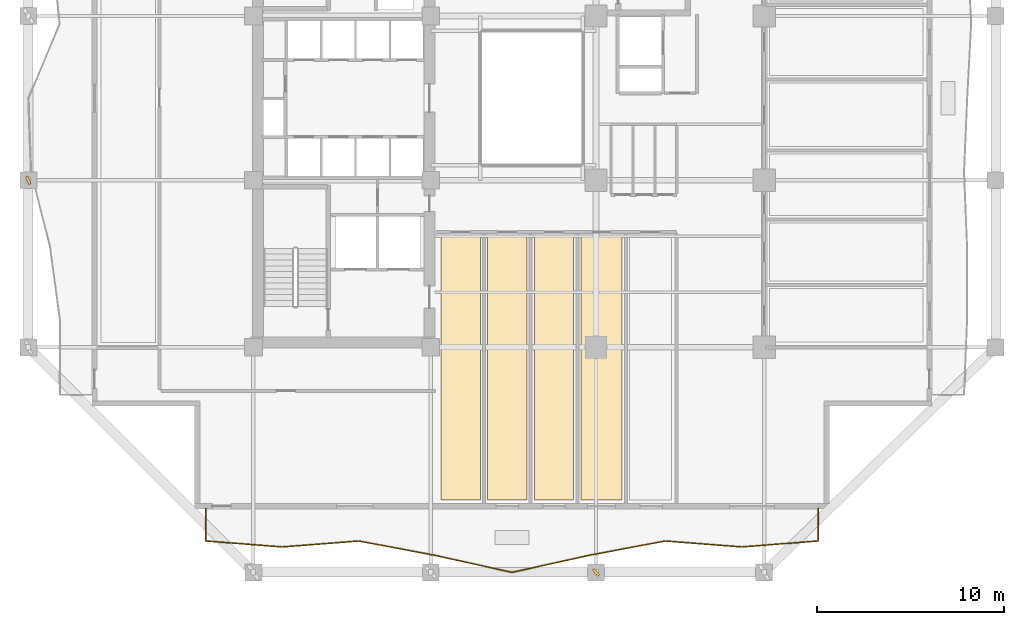
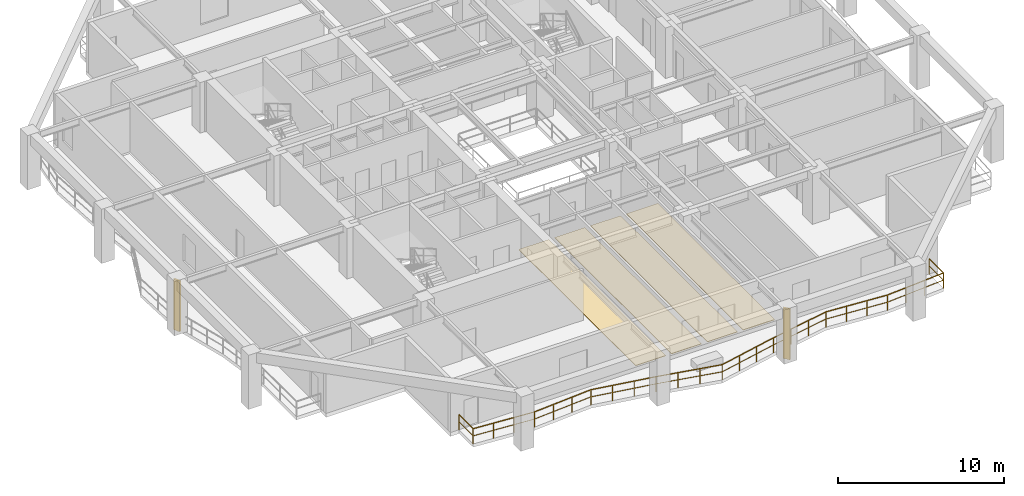
# One storey, part 8 of 13: 4 coverings, 2 shading devices, 1 railing.
"""IFC4 building model written with IfcOpenShell, lengths in metres."""

from ifc_helpers import new_model, si_unit, direction, frame, origin, origin_2d, place, context, subcontext, project, spatial, polyline, rectangle, outline, extrude, material, layer, layer_set, type_object, element, save


model = new_model("IFC4")

# Units and contexts
model_context = context("Model", 3, precision=1e-05, world=origin(), true_north=direction((0.0, 1.0)))
body_context = subcontext(model_context, "Body", "Model", "MODEL_VIEW")
ifc_project = project(units=[si_unit("LENGTHUNIT", "METRE"), si_unit("AREAUNIT", "SQUARE_METRE"), si_unit("VOLUMEUNIT", "CUBIC_METRE"), si_unit("PLANEANGLEUNIT", "RADIAN"), si_unit("MASSUNIT", "GRAM", prefix="KILO")], contexts=[model_context])

# Site, building, storey
site_placement = place(None, origin())
site = spatial("IfcSite", under=ifc_project, at=site_placement, CompositionType="ELEMENT")
building_placement = place(site_placement, origin())
building = spatial("IfcBuilding", under=site, at=building_placement, Name="Kundavana Baori Tower", CompositionType="ELEMENT")
storey_placement = place(building_placement, frame((0.0, 0.0, 70.0)))
storey = spatial("IfcBuildingStorey", under=building, at=storey_placement, Name="L16", CompositionType="ELEMENT", Elevation=70.0)

# Coverings
ifc_material_1 = material(Name="Honed Kota Stone and Terrazzo Flooring", Category="masonry")
ifc_layer = layer(ifc_material_1, 0.0400390625, Name="COV-FLR-TERR-40")
ifc_layer_set = layer_set([ifc_layer], Name="Honed Kota Stone and Terrazzo Flooring")
covering_type = type_object("IfcCoveringType", Name="COV-FLR-TERR-40", PredefinedType="FLOORING", material=ifc_layer_set)
covering_1_placement = place(storey_placement, origin())
element("IfcCovering", 1, at=covering_1_placement, inside=storey, type_object=covering_type, Name="L16 Room Finished Stone Flooring 2", PredefinedType="FLOORING", context=body_context, shape_type="SweptSolid", body=[
    extrude(outline(polyline([(25.5, 7.080078125), (27.60009765625, 7.080078125), (27.60009765625, 21.199951171875), (25.5, 21.199951171875), (25.5, 7.080078125)])), origin(), (0.0, 0.0, 1.0), 0.0400390625),
])
covering_2_placement = place(storey_placement, origin())
element("IfcCovering", 2, at=covering_2_placement, inside=storey, type_object=covering_type, Name="L16 Room Finished Stone Flooring 3", PredefinedType="FLOORING", context=body_context, shape_type="SweptSolid", body=[
    extrude(outline(polyline([(28.0, 7.080078125), (30.10009765625, 7.080078125), (30.10009765625, 21.199951171875), (28.0, 21.199951171875), (28.0, 7.080078125)])), origin(), (0.0, 0.0, 1.0), 0.0400390625),
])
covering_3_placement = place(storey_placement, origin())
element("IfcCovering", 3, at=covering_3_placement, inside=storey, type_object=covering_type, Name="L16 Room Finished Stone Flooring 4", PredefinedType="FLOORING", context=body_context, shape_type="SweptSolid", body=[
    extrude(outline(polyline([(30.5, 7.080078125), (32.60009765625, 7.080078125), (32.60009765625, 21.199951171875), (30.5, 21.199951171875), (30.5, 7.080078125)])), origin(), (0.0, 0.0, 1.0), 0.0400390625),
])
covering_4_placement = place(storey_placement, origin())
element("IfcCovering", 4, at=covering_4_placement, inside=storey, type_object=covering_type, Name="L16 Room Finished Stone Flooring 5", PredefinedType="FLOORING", context=body_context, shape_type="SweptSolid", body=[
    extrude(outline(polyline([(33.0, 7.080078125), (35.199951171875, 7.080078125), (35.199951171875, 21.199951171875), (33.0, 21.199951171875), (33.0, 7.080078125)])), origin(), (0.0, 0.0, 1.0), 0.0400390625),
])

# Railing
ifc_material_2 = material(Name="Architectural Patinated Bronze Metalwork")
railing_type = type_object("IfcRailingType", Name="RL-BAL-1150", PredefinedType="BALUSTRADE", material=ifc_material_2)
railing_placement = place(storey_placement, frame((45.699951171875, 6.60009765625, 0.0)))
element("IfcRailing", 5, at=railing_placement, inside=storey, type_object=railing_type, Name="L16 Loggia Balcony Balustrade S", PredefinedType="BALUSTRADE", context=body_context, shape_type="SweptSolid", body=[
    extrude(rectangle(XDim=0.048095703125, YDim=0.048095703125, at=origin_2d()), frame((0.0, 0.0, 1.1259765625), z_axis=(0.0, -1.0, 0.0), x_axis=(1.0, 0.0, 0.0)), (0.0, 0.0, 1.0), 1.72021484375),
    extrude(rectangle(XDim=0.03125, YDim=0.03125, at=origin_2d()), frame((0.0, 0.0, 0.597900390625), z_axis=(0.0, -1.0, 0.0), x_axis=(1.0, 0.0, 0.0)), (0.0, 0.0, 1.0), 1.72021484375),
    extrude(rectangle(XDim=0.048095703125, YDim=0.048095703125, at=origin_2d()), frame((0.0, -1.72021484375, 1.1259765625), z_axis=(-0.996952698098, -0.078008446692, 0.0), x_axis=(0.078008446692, -0.996952698098, 0.0)), (0.0, 0.0, 1.0), 4.1123046875),
    extrude(rectangle(XDim=0.03125, YDim=0.03125, at=origin_2d()), frame((0.0, -1.72021484375, 0.597900390625), z_axis=(-0.996952698098, -0.078008446692, 0.0), x_axis=(0.078008446692, -0.996952698098, 0.0)), (0.0, 0.0, 1.0), 4.1123046875),
    extrude(rectangle(XDim=0.048095703125, YDim=0.048095703125, at=origin_2d()), frame((-4.099853515625, -2.041015625, 1.1259765625), z_axis=(-0.996953059334, 0.078003829937, 0.0), x_axis=(-0.078003829937, -0.996953059334, 0.0)), (0.0, 0.0, 1.0), 4.112548828125),
    extrude(rectangle(XDim=0.03125, YDim=0.03125, at=origin_2d()), frame((-4.099853515625, -2.041015625, 0.597900390625), z_axis=(-0.996953059334, 0.078003829937, 0.0), x_axis=(-0.078003829937, -0.996953059334, 0.0)), (0.0, 0.0, 1.0), 4.112548828125),
    extrude(rectangle(XDim=0.048095703125, YDim=0.048095703125, at=origin_2d()), frame((-8.199951171875, -1.72021484375, 1.1259765625), z_axis=(-0.982562157799, -0.185934413331, 0.0), x_axis=(0.185934413331, -0.982562157799, 0.0)), (0.0, 0.0, 1.0), 4.1728515625),
    extrude(rectangle(XDim=0.03125, YDim=0.03125, at=origin_2d()), frame((-8.199951171875, -1.72021484375, 0.597900390625), z_axis=(-0.982562157799, -0.185934413331, 0.0), x_axis=(0.185934413331, -0.982562157799, 0.0)), (0.0, 0.0, 1.0), 4.1728515625),
    extrude(rectangle(XDim=0.048095703125, YDim=0.048095703125, at=origin_2d()), frame((-12.300048828125, -2.49609375, 1.1259765625), z_axis=(-0.976540140403, -0.215335445716, 0.0), x_axis=(0.215335445716, -0.976540140403, 0.0)), (0.0, 0.0, 1.0), 4.1982421875),
    extrude(rectangle(XDim=0.03125, YDim=0.03125, at=origin_2d()), frame((-12.300048828125, -2.49609375, 0.597900390625), z_axis=(-0.976540140403, -0.215335445716, 0.0), x_axis=(0.215335445716, -0.976540140403, 0.0)), (0.0, 0.0, 1.0), 4.1982421875),
    extrude(rectangle(XDim=0.048095703125, YDim=0.048095703125, at=origin_2d()), frame((-16.39990234375, -3.400146484375, 1.1259765625), z_axis=(-0.976542836626, 0.215323218056, 0.0), x_axis=(-0.215323218056, -0.976542836626, 0.0)), (0.0, 0.0, 1.0), 4.198486328125),
    extrude(rectangle(XDim=0.03125, YDim=0.03125, at=origin_2d()), frame((-16.39990234375, -3.400146484375, 0.597900390625), z_axis=(-0.976542836626, 0.215323218056, 0.0), x_axis=(-0.215323218056, -0.976542836626, 0.0)), (0.0, 0.0, 1.0), 4.198486328125),
    extrude(rectangle(XDim=0.048095703125, YDim=0.048095703125, at=origin_2d()), frame((-20.5, -2.49609375, 1.1259765625), z_axis=(-0.982560134953, 0.185945102655, 0.0), x_axis=(-0.185945102655, -0.982560134953, 0.0)), (0.0, 0.0, 1.0), 4.172607421875),
    extrude(rectangle(XDim=0.03125, YDim=0.03125, at=origin_2d()), frame((-20.5, -2.49609375, 0.597900390625), z_axis=(-0.982560134953, 0.185945102655, 0.0), x_axis=(-0.185945102655, -0.982560134953, 0.0)), (0.0, 0.0, 1.0), 4.172607421875),
    extrude(rectangle(XDim=0.048095703125, YDim=0.048095703125, at=origin_2d()), frame((-24.599853515625, -1.72021484375, 1.1259765625), z_axis=(-0.996953059334, -0.078003829937, 0.0), x_axis=(0.078003829937, -0.996953059334, 0.0)), (0.0, 0.0, 1.0), 4.112548828125),
    extrude(rectangle(XDim=0.03125, YDim=0.03125, at=origin_2d()), frame((-24.599853515625, -1.72021484375, 0.597900390625), z_axis=(-0.996953059334, -0.078003829937, 0.0), x_axis=(0.078003829937, -0.996953059334, 0.0)), (0.0, 0.0, 1.0), 4.112548828125),
    extrude(rectangle(XDim=0.048095703125, YDim=0.048095703125, at=origin_2d()), frame((-28.699951171875, -2.041015625, 1.1259765625), z_axis=(-0.996953059334, 0.078003829937, 0.0), x_axis=(-0.078003829937, -0.996953059334, 0.0)), (0.0, 0.0, 1.0), 4.112548828125),
    extrude(rectangle(XDim=0.03125, YDim=0.03125, at=origin_2d()), frame((-28.699951171875, -2.041015625, 0.597900390625), z_axis=(-0.996953059334, 0.078003829937, 0.0), x_axis=(-0.078003829937, -0.996953059334, 0.0)), (0.0, 0.0, 1.0), 4.112548828125),
    extrude(rectangle(XDim=0.048095703125, YDim=0.048095703125, at=origin_2d()), frame((-32.800048828125, -1.72021484375, 1.1259765625), z_axis=(0.0, 1.0, 0.0), x_axis=(-1.0, 0.0, 0.0)), (0.0, 0.0, 1.0), 1.72021484375),
    extrude(rectangle(XDim=0.03125, YDim=0.03125, at=origin_2d()), frame((-32.800048828125, -1.72021484375, 0.597900390625), z_axis=(0.0, 1.0, 0.0), x_axis=(-1.0, 0.0, 0.0)), (0.0, 0.0, 1.0), 1.72021484375),
    extrude(rectangle(XDim=0.0419921875, YDim=0.0419921875, at=origin_2d()), origin(), (0.0, 0.0, 1.0), 1.101806640625),
    extrude(rectangle(XDim=0.0419921875, YDim=0.0419921875, at=origin_2d()), frame((0.0, -1.72021484375, 0.0)), (0.0, 0.0, 1.0), 1.101806640625),
    extrude(rectangle(XDim=0.0419921875, YDim=0.0419921875, at=origin_2d()), frame((-1.36669921875, -1.8271484375, 0.0)), (0.0, 0.0, 1.0), 1.101806640625),
    extrude(rectangle(XDim=0.0419921875, YDim=0.0419921875, at=origin_2d()), frame((-2.733154296875, -1.93408203125, 0.0)), (0.0, 0.0, 1.0), 1.101806640625),
    extrude(rectangle(XDim=0.0419921875, YDim=0.0419921875, at=origin_2d()), frame((-4.099853515625, -2.041015625, 0.0)), (0.0, 0.0, 1.0), 1.101806640625),
    extrude(rectangle(XDim=0.0419921875, YDim=0.0419921875, at=origin_2d()), frame((-5.466552734375, -1.93408203125, 0.0)), (0.0, 0.0, 1.0), 1.101806640625),
    extrude(rectangle(XDim=0.0419921875, YDim=0.0419921875, at=origin_2d()), frame((-6.833251953125, -1.8271484375, 0.0)), (0.0, 0.0, 1.0), 1.101806640625),
    extrude(rectangle(XDim=0.0419921875, YDim=0.0419921875, at=origin_2d()), frame((-8.199951171875, -1.72021484375, 0.0)), (0.0, 0.0, 1.0), 1.101806640625),
    extrude(rectangle(XDim=0.0419921875, YDim=0.0419921875, at=origin_2d()), frame((-9.566650390625, -1.978759765625, 0.0)), (0.0, 0.0, 1.0), 1.101806640625),
    extrude(rectangle(XDim=0.0419921875, YDim=0.0419921875, at=origin_2d()), frame((-10.933349609375, -2.237548828125, 0.0)), (0.0, 0.0, 1.0), 1.101806640625),
    extrude(rectangle(XDim=0.0419921875, YDim=0.0419921875, at=origin_2d()), frame((-12.300048828125, -2.49609375, 0.0)), (0.0, 0.0, 1.0), 1.101806640625),
    extrude(rectangle(XDim=0.0419921875, YDim=0.0419921875, at=origin_2d()), frame((-13.666748046875, -2.79736328125, 0.0)), (0.0, 0.0, 1.0), 1.101806640625),
    extrude(rectangle(XDim=0.0419921875, YDim=0.0419921875, at=origin_2d()), frame((-15.033203125, -3.098876953125, 0.0)), (0.0, 0.0, 1.0), 1.101806640625),
    extrude(rectangle(XDim=0.0419921875, YDim=0.0419921875, at=origin_2d()), frame((-16.39990234375, -3.400146484375, 0.0)), (0.0, 0.0, 1.0), 1.101806640625),
    extrude(rectangle(XDim=0.0419921875, YDim=0.0419921875, at=origin_2d()), frame((-17.7666015625, -3.098876953125, 0.0)), (0.0, 0.0, 1.0), 1.101806640625),
    extrude(rectangle(XDim=0.0419921875, YDim=0.0419921875, at=origin_2d()), frame((-19.13330078125, -2.79736328125, 0.0)), (0.0, 0.0, 1.0), 1.101806640625),
    extrude(rectangle(XDim=0.0419921875, YDim=0.0419921875, at=origin_2d()), frame((-20.5, -2.49609375, 0.0)), (0.0, 0.0, 1.0), 1.101806640625),
    extrude(rectangle(XDim=0.0419921875, YDim=0.0419921875, at=origin_2d()), frame((-21.86669921875, -2.237548828125, 0.0)), (0.0, 0.0, 1.0), 1.101806640625),
    extrude(rectangle(XDim=0.0419921875, YDim=0.0419921875, at=origin_2d()), frame((-23.233154296875, -1.978759765625, 0.0)), (0.0, 0.0, 1.0), 1.101806640625),
    extrude(rectangle(XDim=0.0419921875, YDim=0.0419921875, at=origin_2d()), frame((-24.599853515625, -1.72021484375, 0.0)), (0.0, 0.0, 1.0), 1.101806640625),
    extrude(rectangle(XDim=0.0419921875, YDim=0.0419921875, at=origin_2d()), frame((-25.966552734375, -1.8271484375, 0.0)), (0.0, 0.0, 1.0), 1.101806640625),
    extrude(rectangle(XDim=0.0419921875, YDim=0.0419921875, at=origin_2d()), frame((-27.333251953125, -1.93408203125, 0.0)), (0.0, 0.0, 1.0), 1.101806640625),
    extrude(rectangle(XDim=0.0419921875, YDim=0.0419921875, at=origin_2d()), frame((-28.699951171875, -2.041015625, 0.0)), (0.0, 0.0, 1.0), 1.101806640625),
    extrude(rectangle(XDim=0.0419921875, YDim=0.0419921875, at=origin_2d()), frame((-30.066650390625, -1.93408203125, 0.0)), (0.0, 0.0, 1.0), 1.101806640625),
    extrude(rectangle(XDim=0.0419921875, YDim=0.0419921875, at=origin_2d()), frame((-31.433349609375, -1.8271484375, 0.0)), (0.0, 0.0, 1.0), 1.101806640625),
    extrude(rectangle(XDim=0.0419921875, YDim=0.0419921875, at=origin_2d()), frame((-32.800048828125, -1.72021484375, 0.0)), (0.0, 0.0, 1.0), 1.101806640625),
    extrude(rectangle(XDim=0.0419921875, YDim=0.0419921875, at=origin_2d()), frame((-32.800048828125, 0.0, 0.0)), (0.0, 0.0, 1.0), 1.101806640625),
])

# Shading devices
ifc_material_3 = material(Name="Architectural Patinated Bronze Metalwork")
shading_device_type = type_object("IfcShadingDeviceType", Name="SHD-LOUV-450", PredefinedType="SHUTTER", material=ifc_material_3)
for number, where, z_axis, x_axis, name in (
    (6, (33.800048828125, 3.199951171875, 0.0), (0.0, 0.0, 1.0), (0.773397837916, 0.633920960614, 0.0), "L16 Sweeping Dholpur Sandstone Facade Fin 3"),
    (7, (3.39990234375, 24.199951171875, 0.0), (0.0, 0.0, 1.0), (0.915170838243, 0.403066169295, 0.0), "L16 Sweeping Dholpur Sandstone Facade Fin 6"),
):
    element("IfcShadingDevice", number, at=place(storey_placement, frame(where, z_axis=z_axis, x_axis=x_axis)), inside=storey, type_object=shading_device_type, Name=name, PredefinedType="SHUTTER", context=body_context, shape_type="SweptSolid", body=[
        extrude(rectangle(XDim=0.139892578125, YDim=0.449951171875, at=origin_2d()), origin(), (0.0, 0.0, 1.0), 3.719970703125),
    ])

save(model, "model.ifc")
